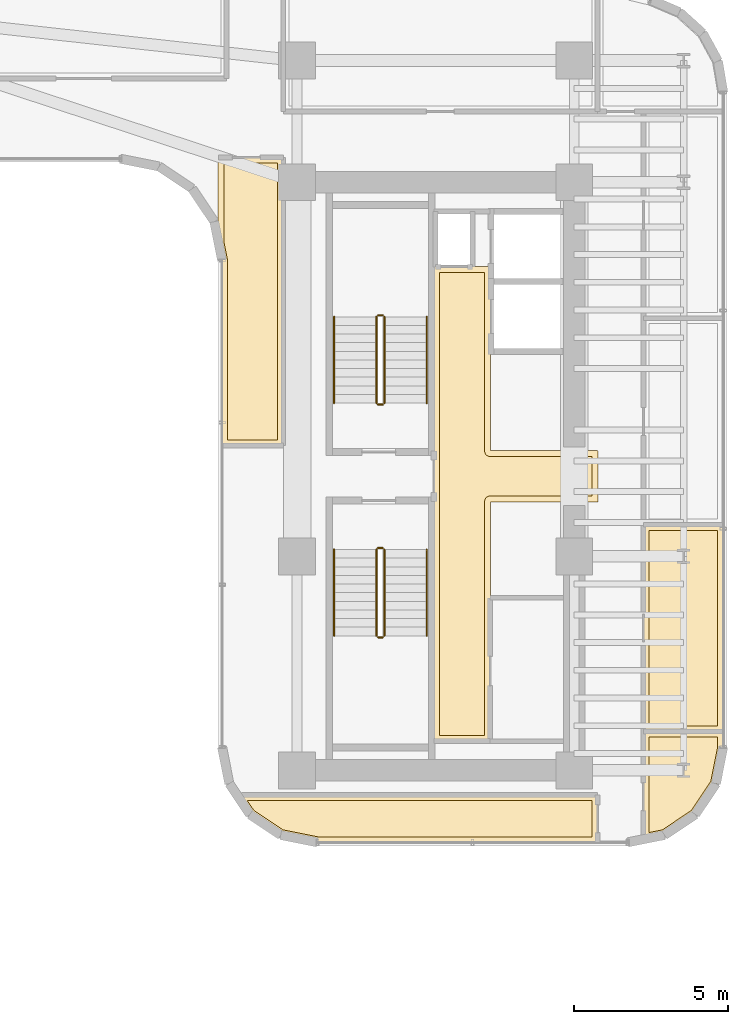
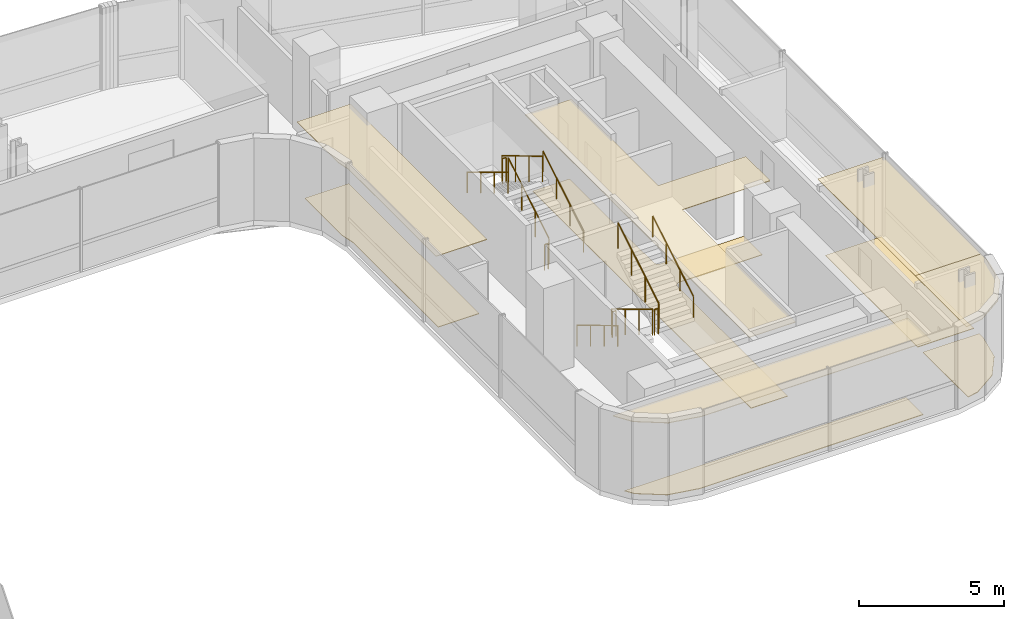
# One storey, part 35 of 37: 12 railings, 10 coverings.
"""IFC4 building model written with IfcOpenShell, lengths in metres."""

from ifc_helpers import new_model, si_unit, direction, frame, origin, origin_2d, place, context, subcontext, project, spatial, polyline, circle, outline, extrude, material, layer, layer_set, type_object, element, save


model = new_model("IFC4")

# Units and contexts
model_context = context("Model", 3, precision=1e-05, world=origin(), true_north=direction((0.0, 1.0)))
body_context = subcontext(model_context, "Body", "Model", "MODEL_VIEW")
ifc_project = project(units=[si_unit("LENGTHUNIT", "METRE"), si_unit("AREAUNIT", "SQUARE_METRE"), si_unit("VOLUMEUNIT", "CUBIC_METRE"), si_unit("PLANEANGLEUNIT", "RADIAN"), si_unit("MASSUNIT", "GRAM", prefix="KILO")], contexts=[model_context])

# Site, building, storey
site_placement = place(None, origin())
site = spatial("IfcSite", under=ifc_project, at=site_placement, CompositionType="ELEMENT")
building_placement = place(site_placement, origin())
building = spatial("IfcBuilding", under=site, at=building_placement, Name="Valdorenza Pilgrim Sanctuary Tower", CompositionType="ELEMENT")
storey_placement = place(building_placement, frame((0.0, 0.0, 135.300048828125)))
storey = spatial("IfcBuildingStorey", under=building, at=storey_placement, Name="L34", CompositionType="ELEMENT", Elevation=135.300048828125)

# Coverings
ifc_material_1 = material(Name="Micro-perforated acoustic mineral ceiling tile", Category="gypsum")
ifc_layer_1 = layer(ifc_material_1, 0.02490234375, Name="Micro-perforated acoustic mineral ceiling tile")
ifc_layer_set_1 = layer_set([ifc_layer_1], Name="Micro-perforated acoustic mineral ceiling tile")
covering_type_1 = type_object("IfcCoveringType", Name="COV-CLG-ACU", PredefinedType="CEILING", material=ifc_layer_set_1)
covering_1_placement = place(storey_placement, frame((0.0, 0.0, 3.159912109375)))
element("IfcCovering", 1, at=covering_1_placement, inside=storey, type_object=covering_type_1, Name="L34 Core B Passenger Lift Lobby Acoustic Ceiling", PredefinedType="CEILING", context=body_context, shape_type="SweptSolid", body=[
    extrude(outline(polyline([(20.287109375, -0.814697265625), (20.287109375, 0.814697265625), (20.28662109375, 0.815185546875), (20.2861328125, 0.81640625), (20.28564453125, 0.81787109375), (20.285400390625, 0.819091796875), (20.28515625, 0.820556640625), (20.284912109375, 0.822021484375), (20.284912109375, 6.800048828125), (20.28515625, 6.801513671875), (20.285400390625, 6.802978515625), (20.28564453125, 6.804443359375), (20.2861328125, 6.8056640625), (20.286865234375, 6.80712890625), (20.28759765625, 6.808349609375), (20.288330078125, 6.8095703125), (20.289306640625, 6.810546875), (20.29052734375, 6.8115234375), (20.291748046875, 6.8125), (20.29296875, 6.813232421875), (20.294189453125, 6.81396484375), (20.295654296875, 6.814453125), (20.297119140625, 6.814697265625), (20.298583984375, 6.81494140625), (20.300048828125, 6.81494140625), (20.347900390625, 6.81494140625), (20.349365234375, 6.81494140625), (20.350830078125, 6.814697265625), (20.352294921875, 6.814453125), (20.353515625, 6.81396484375), (20.35498046875, 6.813232421875), (20.35546875, 6.81298828125), (21.544677734375, 6.81298828125), (21.545166015625, 6.813232421875), (21.54638671875, 6.81396484375), (21.5478515625, 6.814453125), (21.54931640625, 6.814697265625), (21.550537109375, 6.81494140625), (21.552001953125, 6.81494140625), (22.1201171875, 6.81494140625), (22.12158203125, 6.81494140625), (22.122802734375, 6.814697265625), (22.12451171875, 6.814453125), (22.125732421875, 6.81396484375), (22.127197265625, 6.813232421875), (22.12841796875, 6.8125), (22.12939453125, 6.8115234375), (22.130615234375, 6.810546875), (22.131591796875, 6.8095703125), (22.132568359375, 6.808349609375), (22.13330078125, 6.80712890625), (22.1337890625, 6.8056640625), (22.134521484375, 6.804443359375), (22.134765625, 6.802978515625), (22.135009765625, 6.801513671875), (22.135009765625, 6.800048828125), (22.135009765625, 0.8349609375), (25.60009765625, 0.8349609375), (25.6015625, 0.8349609375), (25.602783203125, 0.834716796875), (25.6044921875, 0.83447265625), (25.605712890625, 0.833984375), (25.607177734375, 0.833251953125), (25.6083984375, 0.83251953125), (25.609619140625, 0.83154296875), (25.610595703125, 0.83056640625), (25.611572265625, 0.82958984375), (25.612548828125, 0.828369140625), (25.61328125, 0.8271484375), (25.614013671875, 0.82568359375), (25.614501953125, 0.824462890625), (25.61474609375, 0.822998046875), (25.614990234375, 0.821533203125), (25.614990234375, 0.820068359375), (25.614990234375, -0.820068359375), (25.614990234375, -0.821533203125), (25.61474609375, -0.822998046875), (25.614501953125, -0.824462890625), (25.614013671875, -0.82568359375), (25.61328125, -0.8271484375), (25.612548828125, -0.828369140625), (25.611572265625, -0.82958984375), (25.610595703125, -0.83056640625), (25.609619140625, -0.83154296875), (25.6083984375, -0.83251953125), (25.607177734375, -0.833251953125), (25.605712890625, -0.833984375), (25.6044921875, -0.83447265625), (25.602783203125, -0.834716796875), (25.6015625, -0.8349609375), (25.60009765625, -0.8349609375), (22.135009765625, -0.8349609375), (22.135009765625, -8.60009765625), (22.135009765625, -8.6015625), (22.134765625, -8.602783203125), (22.134521484375, -8.6044921875), (22.1337890625, -8.605712890625), (22.13330078125, -8.607177734375), (22.132568359375, -8.6083984375), (22.131591796875, -8.609619140625), (22.130615234375, -8.610595703125), (22.12939453125, -8.611572265625), (22.12841796875, -8.612548828125), (22.127197265625, -8.61328125), (22.125732421875, -8.614013671875), (22.12451171875, -8.614501953125), (22.122802734375, -8.61474609375), (22.12158203125, -8.614990234375), (22.1201171875, -8.614990234375), (20.300048828125, -8.614990234375), (20.298583984375, -8.614990234375), (20.297119140625, -8.61474609375), (20.295654296875, -8.614501953125), (20.294189453125, -8.614013671875), (20.29296875, -8.61328125), (20.291748046875, -8.612548828125), (20.29052734375, -8.611572265625), (20.289306640625, -8.610595703125), (20.288330078125, -8.609619140625), (20.28759765625, -8.6083984375), (20.286865234375, -8.607177734375), (20.2861328125, -8.605712890625), (20.28564453125, -8.6044921875), (20.285400390625, -8.602783203125), (20.28515625, -8.6015625), (20.284912109375, -8.60009765625), (20.284912109375, -0.822021484375), (20.28515625, -0.820556640625), (20.285400390625, -0.819091796875), (20.28564453125, -0.81787109375), (20.2861328125, -0.81640625), (20.28662109375, -0.815185546875), (20.287109375, -0.814697265625)])), origin(), (0.0, 0.0, 1.0), 0.025146484375),
])
covering_2_placement = place(storey_placement, frame((0.0, 0.0, 3.159912109375)))
element("IfcCovering", 2, at=covering_2_placement, inside=storey, type_object=covering_type_1, Name="L34 Sacred Manuscript Archive L34-BS Acoustic Ceiling", PredefinedType="CEILING", context=body_context, shape_type="SweptSolid", body=[
    extrude(outline(polyline([(25.614990234375, -11.889892578125), (25.614990234375, -11.8916015625), (25.61474609375, -11.892822265625), (25.614501953125, -11.894287109375), (25.614013671875, -11.895751953125), (25.61328125, -11.897216796875), (25.612548828125, -11.898193359375), (25.611572265625, -11.8994140625), (25.610595703125, -11.900634765625), (25.609619140625, -11.901611328125), (25.6083984375, -11.902587890625), (25.607177734375, -11.9033203125), (25.605712890625, -11.90380859375), (25.6044921875, -11.904296875), (25.602783203125, -11.90478515625), (25.6015625, -11.90478515625), (25.60009765625, -11.905029296875), (16.5107421875, -11.905029296875), (16.509521484375, -11.90478515625), (16.5078125, -11.90478515625), (15.3154296875, -11.66748046875), (15.31396484375, -11.6669921875), (15.3125, -11.66650390625), (15.311279296875, -11.666015625), (15.31005859375, -11.665283203125), (14.308349609375, -10.995849609375), (14.30712890625, -10.9951171875), (14.305908203125, -10.993896484375), (14.304931640625, -10.992919921875), (14.30419921875, -10.99169921875), (13.880859375, -10.3583984375), (13.880126953125, -10.357177734375), (13.87939453125, -10.355712890625), (13.87890625, -10.3544921875), (13.878662109375, -10.352783203125), (13.87841796875, -10.3515625), (13.87841796875, -10.35009765625), (13.87841796875, -10.348388671875), (13.878662109375, -10.34716796875), (13.87890625, -10.345703125), (13.87939453125, -10.34423828125), (13.880126953125, -10.343017578125), (13.880859375, -10.341796875), (13.881591796875, -10.340576171875), (13.8828125, -10.33935546875), (13.8837890625, -10.33837890625), (13.885009765625, -10.33740234375), (13.88623046875, -10.3369140625), (13.8876953125, -10.336181640625), (13.888916015625, -10.335693359375), (13.890380859375, -10.335205078125), (13.891845703125, -10.335205078125), (13.893310546875, -10.3349609375), (25.60009765625, -10.3349609375), (25.6015625, -10.335205078125), (25.602783203125, -10.335205078125), (25.6044921875, -10.335693359375), (25.605712890625, -10.336181640625), (25.607177734375, -10.3369140625), (25.6083984375, -10.33740234375), (25.609619140625, -10.33837890625), (25.610595703125, -10.33935546875), (25.611572265625, -10.340576171875), (25.612548828125, -10.341796875), (25.61328125, -10.343017578125), (25.614013671875, -10.34423828125), (25.614501953125, -10.345703125), (25.61474609375, -10.34716796875), (25.614990234375, -10.348388671875), (25.614990234375, -10.35009765625), (25.614990234375, -11.889892578125)])), origin(), (0.0, 0.0, 1.0), 0.025146484375),
])
covering_3_placement = place(storey_placement, frame((0.0, 0.0, 3.159912109375)))
element("IfcCovering", 3, at=covering_3_placement, inside=storey, type_object=covering_type_1, Name="L34 East Sanctuary Scholar Office L34-EG1 Acoustic Ceiling", PredefinedType="CEILING", context=body_context, shape_type="SweptSolid", body=[
    extrude(outline(polyline([(29.467529296875, -9.984619140625), (29.467041015625, -9.986083984375), (29.466552734375, -9.9873046875), (29.466064453125, -9.98876953125), (29.46533203125, -9.989990234375), (28.7958984375, -10.99169921875), (28.794921875, -10.992919921875), (28.7939453125, -10.993896484375), (28.79296875, -10.9951171875), (28.791748046875, -10.995849609375), (27.7900390625, -11.665283203125), (27.788818359375, -11.666015625), (27.787353515625, -11.66650390625), (27.785888671875, -11.6669921875), (27.78466796875, -11.66748046875), (27.102783203125, -11.802978515625), (27.1015625, -11.80322265625), (27.10009765625, -11.803466796875), (27.098388671875, -11.80322265625), (27.09716796875, -11.802978515625), (27.095703125, -11.802734375), (27.09423828125, -11.80224609375), (27.093017578125, -11.801513671875), (27.091796875, -11.80078125), (27.090576171875, -11.800048828125), (27.08935546875, -11.799072265625), (27.08837890625, -11.7978515625), (27.08740234375, -11.796630859375), (27.0869140625, -11.79541015625), (27.086181640625, -11.794189453125), (27.085693359375, -11.792724609375), (27.085205078125, -11.791259765625), (27.085205078125, -11.789794921875), (27.0849609375, -11.788330078125), (27.0849609375, -8.287109375), (27.085205078125, -8.285400390625), (27.085205078125, -8.2841796875), (27.085693359375, -8.28271484375), (27.086181640625, -8.28125), (27.0869140625, -8.27978515625), (27.08740234375, -8.27880859375), (27.08837890625, -8.277587890625), (27.08935546875, -8.2763671875), (27.090576171875, -8.275390625), (27.091796875, -8.2744140625), (27.093017578125, -8.273681640625), (27.09423828125, -8.273193359375), (27.095703125, -8.272705078125), (27.09716796875, -8.272216796875), (27.098388671875, -8.272216796875), (27.10009765625, -8.27197265625), (29.68994140625, -8.27197265625), (29.69140625, -8.272216796875), (29.69287109375, -8.272216796875), (29.6943359375, -8.272705078125), (29.69580078125, -8.273193359375), (29.697021484375, -8.273681640625), (29.6982421875, -8.2744140625), (29.699462890625, -8.275390625), (29.70068359375, -8.2763671875), (29.70166015625, -8.277587890625), (29.702392578125, -8.27880859375), (29.703125, -8.27978515625), (29.703857421875, -8.28125), (29.704345703125, -8.28271484375), (29.70458984375, -8.2841796875), (29.704833984375, -8.285400390625), (29.705078125, -8.287109375), (29.705078125, -8.789306640625), (29.704833984375, -8.79052734375), (29.70458984375, -8.7919921875), (29.467529296875, -9.984619140625)])), origin(), (0.0, 0.0, 1.0), 0.025146484375),
])
covering_4_placement = place(storey_placement, frame((0.0, 0.0, 3.159912109375)))
element("IfcCovering", 4, at=covering_4_placement, inside=storey, type_object=covering_type_1, Name="L34 East Sanctuary Scholar Office L34-EG2 Acoustic Ceiling", PredefinedType="CEILING", context=body_context, shape_type="SweptSolid", body=[
    extrude(outline(polyline([(27.0849609375, -1.574951171875), (27.085205078125, -1.573486328125), (27.085205078125, -1.572021484375), (27.085693359375, -1.570556640625), (27.086181640625, -1.5693359375), (27.0869140625, -1.56787109375), (27.08740234375, -1.566650390625), (27.08837890625, -1.5654296875), (27.08935546875, -1.564453125), (27.090576171875, -1.5634765625), (27.091796875, -1.5625), (27.093017578125, -1.561767578125), (27.09423828125, -1.56103515625), (27.095703125, -1.560546875), (27.09716796875, -1.560302734375), (27.098388671875, -1.56005859375), (27.10009765625, -1.56005859375), (29.68994140625, -1.56005859375), (29.69140625, -1.56005859375), (29.69287109375, -1.560302734375), (29.6943359375, -1.560546875), (29.69580078125, -1.56103515625), (29.697021484375, -1.561767578125), (29.6982421875, -1.5625), (29.699462890625, -1.5634765625), (29.70068359375, -1.564453125), (29.70166015625, -1.5654296875), (29.702392578125, -1.566650390625), (29.703125, -1.56787109375), (29.703857421875, -1.5693359375), (29.704345703125, -1.570556640625), (29.70458984375, -1.572021484375), (29.704833984375, -1.573486328125), (29.705078125, -1.574951171875), (29.705078125, -8.284912109375), (29.704833984375, -8.28662109375), (29.70458984375, -8.287841796875), (29.704345703125, -8.289306640625), (29.703857421875, -8.290771484375), (29.703125, -8.2919921875), (29.702392578125, -8.293212890625), (29.70166015625, -8.29443359375), (29.70068359375, -8.295654296875), (29.699462890625, -8.296630859375), (29.6982421875, -8.297607421875), (29.697021484375, -8.298095703125), (29.69580078125, -8.298828125), (29.6943359375, -8.29931640625), (29.69287109375, -8.2998046875), (29.69140625, -8.2998046875), (29.68994140625, -8.300048828125), (27.10009765625, -8.300048828125), (27.098388671875, -8.2998046875), (27.09716796875, -8.2998046875), (27.095703125, -8.29931640625), (27.09423828125, -8.298828125), (27.093017578125, -8.298095703125), (27.091796875, -8.297607421875), (27.090576171875, -8.296630859375), (27.08935546875, -8.295654296875), (27.08837890625, -8.29443359375), (27.08740234375, -8.293212890625), (27.0869140625, -8.2919921875), (27.086181640625, -8.290771484375), (27.085693359375, -8.289306640625), (27.085205078125, -8.287841796875), (27.085205078125, -8.28662109375), (27.0849609375, -8.284912109375), (27.0849609375, -1.574951171875)])), origin(), (0.0, 0.0, 1.0), 0.025146484375),
])
covering_5_placement = place(storey_placement, frame((0.0, 0.0, 3.159912109375)))
element("IfcCovering", 5, at=covering_5_placement, inside=storey, type_object=covering_type_1, Name="L34 Courtyard Overlook Salon L34 Acoustic Ceiling", PredefinedType="CEILING", context=body_context, shape_type="SweptSolid", body=[
    extrude(outline(polyline([(15.39990234375, 10.364990234375), (15.401611328125, 10.364990234375), (15.40283203125, 10.36474609375), (15.404296875, 10.364501953125), (15.40576171875, 10.364013671875), (15.406982421875, 10.36328125), (15.408203125, 10.362548828125), (15.409423828125, 10.361572265625), (15.41064453125, 10.360595703125), (15.41162109375, 10.359619140625), (15.41259765625, 10.3583984375), (15.4130859375, 10.357177734375), (15.413818359375, 10.355712890625), (15.414306640625, 10.3544921875), (15.414794921875, 10.352783203125), (15.414794921875, 10.3515625), (15.4150390625, 10.35009765625), (15.4150390625, 1.0), (15.414794921875, 0.99853515625), (15.414794921875, 0.9970703125), (15.414306640625, 0.99560546875), (15.413818359375, 0.994384765625), (15.4130859375, 0.992919921875), (15.41259765625, 0.99169921875), (15.41162109375, 0.990478515625), (15.41064453125, 0.989501953125), (15.409423828125, 0.98828125), (15.408203125, 0.987548828125), (15.406982421875, 0.98681640625), (15.40576171875, 0.986083984375), (15.404296875, 0.985595703125), (15.40283203125, 0.9853515625), (15.401611328125, 0.985107421875), (15.39990234375, 0.985107421875), (13.409912109375, 0.985107421875), (13.408447265625, 0.985107421875), (13.406982421875, 0.9853515625), (13.405517578125, 0.985595703125), (13.404296875, 0.986083984375), (13.40283203125, 0.98681640625), (13.401611328125, 0.987548828125), (13.400390625, 0.98828125), (13.3994140625, 0.989501953125), (13.3984375, 0.990478515625), (13.3974609375, 0.99169921875), (13.396728515625, 0.992919921875), (13.39599609375, 0.994384765625), (13.3955078125, 0.99560546875), (13.395263671875, 0.9970703125), (13.39501953125, 0.99853515625), (13.39501953125, 1.0), (13.39501953125, 6.99951171875), (13.39453125, 7.00927734375), (13.39306640625, 7.018798828125), (13.285400390625, 7.560791015625), (13.28515625, 7.562255859375), (13.284912109375, 7.563720703125), (13.284912109375, 10.35009765625), (13.28515625, 10.3515625), (13.285400390625, 10.352783203125), (13.28564453125, 10.3544921875), (13.2861328125, 10.355712890625), (13.286865234375, 10.357177734375), (13.28759765625, 10.3583984375), (13.288330078125, 10.359619140625), (13.289306640625, 10.360595703125), (13.29052734375, 10.361572265625), (13.291748046875, 10.362548828125), (13.29296875, 10.36328125), (13.294189453125, 10.364013671875), (13.295654296875, 10.364501953125), (13.297119140625, 10.36474609375), (13.298583984375, 10.364990234375), (13.300048828125, 10.364990234375), (15.39990234375, 10.364990234375)])), origin(), (0.0, 0.0, 1.0), 0.025146484375),
])
ifc_material_2 = material(Name="Honed travertine stone flooring", Category="masonry")
ifc_layer_2 = layer(ifc_material_2, 0.030029296875, Name="Honed travertine stone flooring")
ifc_layer_set_2 = layer_set([ifc_layer_2], Name="Honed travertine stone flooring")
covering_type_2 = type_object("IfcCoveringType", Name="COV-FLR-TRV", PredefinedType="FLOORING", material=ifc_layer_set_2)
covering_6_placement = place(storey_placement, origin())
element("IfcCovering", 6, at=covering_6_placement, inside=storey, type_object=covering_type_2, Name="L34 Core B Passenger Lift Lobby Flooring", PredefinedType="FLOORING", context=body_context, shape_type="SweptSolid", body=[
    extrude(outline(polyline([(20.47998046875, 6.617919921875), (21.550048828125, 6.617919921875), (21.550537109375, 6.617919921875), (21.93994140625, 6.619384765625), (21.93994140625, 0.820068359375), (21.94091796875, 0.802490234375), (21.943603515625, 0.784912109375), (21.94775390625, 0.767578125), (21.95361328125, 0.751220703125), (21.961181640625, 0.735107421875), (21.97021484375, 0.719970703125), (21.98095703125, 0.705810546875), (21.99267578125, 0.692626953125), (22.005859375, 0.680908203125), (22.02001953125, 0.67041015625), (22.03515625, 0.661376953125), (22.051025390625, 0.65380859375), (22.067626953125, 0.647705078125), (22.0849609375, 0.6435546875), (22.102294921875, 0.640869140625), (22.1201171875, 0.639892578125), (25.419921875, 0.639892578125), (25.419921875, -0.639892578125), (22.1201171875, -0.639892578125), (22.102294921875, -0.640869140625), (22.0849609375, -0.6435546875), (22.067626953125, -0.647705078125), (22.051025390625, -0.65380859375), (22.03515625, -0.661376953125), (22.02001953125, -0.67041015625), (22.005859375, -0.680908203125), (21.99267578125, -0.692626953125), (21.98095703125, -0.705810546875), (21.97021484375, -0.719970703125), (21.961181640625, -0.735107421875), (21.95361328125, -0.751220703125), (21.94775390625, -0.767578125), (21.943603515625, -0.784912109375), (21.94091796875, -0.802490234375), (21.93994140625, -0.820068359375), (21.93994140625, -8.419921875), (20.47998046875, -8.419921875), (20.47998046875, -0.846923828125), (20.47998046875, -0.8466796875), (20.47998046875, -0.8466796875), (20.481689453125, -0.8291015625), (20.481689453125, -0.828857421875), (20.48193359375, -0.820068359375), (20.48193359375, 0.820068359375), (20.47998046875, 6.617919921875)])), origin(), (0.0, 0.0, 1.0), 0.02490234375),
])
covering_7_placement = place(storey_placement, origin())
element("IfcCovering", 7, at=covering_7_placement, inside=storey, type_object=covering_type_2, Name="L34 Sacred Manuscript Archive L34-BS Flooring", PredefinedType="FLOORING", context=body_context, shape_type="SweptSolid", body=[
    extrude(outline(polyline([(25.419921875, -11.7099609375), (16.528564453125, -11.7099609375), (15.388671875, -11.483154296875), (14.4462890625, -10.853515625), (14.22998046875, -10.530029296875), (25.419921875, -10.530029296875), (25.419921875, -11.7099609375)])), origin(), (0.0, 0.0, 1.0), 0.02490234375),
])
covering_8_placement = place(storey_placement, origin())
element("IfcCovering", 8, at=covering_8_placement, inside=storey, type_object=covering_type_2, Name="L34 East Sanctuary Scholar Office L34-EG1 Flooring", PredefinedType="FLOORING", context=body_context, shape_type="SweptSolid", body=[
    extrude(outline(polyline([(29.283203125, -9.911376953125), (28.653564453125, -10.853515625), (27.71142578125, -11.483154296875), (27.280029296875, -11.569091796875), (27.280029296875, -8.467041015625), (29.510009765625, -8.467041015625), (29.510009765625, -8.771484375), (29.283203125, -9.911376953125)])), origin(), (0.0, 0.0, 1.0), 0.02490234375),
])
covering_9_placement = place(storey_placement, origin())
element("IfcCovering", 9, at=covering_9_placement, inside=storey, type_object=covering_type_2, Name="L34 East Sanctuary Scholar Office L34-EG2 Flooring", PredefinedType="FLOORING", context=body_context, shape_type="SweptSolid", body=[
    extrude(outline(polyline([(27.280029296875, -1.7548828125), (29.510009765625, -1.7548828125), (29.510009765625, -8.10498046875), (27.280029296875, -8.10498046875), (27.280029296875, -1.7548828125)])), origin(), (0.0, 0.0, 1.0), 0.02490234375),
])
covering_10_placement = place(storey_placement, origin())
element("IfcCovering", 10, at=covering_10_placement, inside=storey, type_object=covering_type_2, Name="L34 Courtyard Overlook Salon L34 Flooring", PredefinedType="FLOORING", context=body_context, shape_type="SweptSolid", body=[
    extrude(outline(polyline([(15.219970703125, 10.169921875), (15.219970703125, 1.179931640625), (13.590087890625, 1.179931640625), (13.590087890625, 7.0), (13.58984375, 7.0087890625), (13.58935546875, 7.01953125), (13.58740234375, 7.037109375), (13.5859375, 7.0478515625), (13.58447265625, 7.056640625), (13.47998046875, 7.58154296875), (13.47998046875, 10.169921875), (15.219970703125, 10.169921875)])), origin(), (0.0, 0.0, 1.0), 0.02490234375),
])

# Railings
ifc_material_3 = material(Name="Stainless steel Grade 316", Category="steel")
railing_type_1 = type_object("IfcRailingType", Name="RLG-GRD-1120", PredefinedType="GUARDRAIL", material=ifc_material_3)
railing_1_placement = place(storey_placement, frame((18.679931640625, 2.3798828125, 0.168212890625)))
element("IfcRailing", 11, at=railing_1_placement, inside=storey, type_object=railing_type_1, Name="L34 ST-B1 stair guard 1", PredefinedType="GUARDRAIL", context=body_context, shape_type="SweptSolid", body=[
    extrude(circle(Radius=0.02392578125, at=origin_2d()), frame((0.0, 0.0, 1.076171875), z_axis=(0.0, 0.857275202839, 0.514858452973), x_axis=(-1.0, 0.0, 0.0)), (0.0, 0.0, 1.0), 3.26611328125),
    extrude(circle(Radius=0.02099609375, at=origin_2d()), origin(), (0.0, 0.0, 1.0), 1.052001953125),
    extrude(circle(Radius=0.02099609375, at=origin_2d()), frame((0.0, 0.933349609375, 0.560546875)), (0.0, 0.0, 1.0), 1.052001953125),
    extrude(circle(Radius=0.02099609375, at=origin_2d()), frame((0.0, 1.86669921875, 1.12109375)), (0.0, 0.0, 1.0), 1.052001953125),
    extrude(circle(Radius=0.02099609375, at=origin_2d()), frame((0.0, 2.800048828125, 1.681640625)), (0.0, 0.0, 1.0), 1.052001953125),
])
railing_2_placement = place(storey_placement, frame((18.6298828125, 5.22998046875, 1.849853515625)))
element("IfcRailing", 12, at=railing_2_placement, inside=storey, type_object=railing_type_1, Name="L34 ST-B1 stair guard 2", PredefinedType="GUARDRAIL", context=body_context, shape_type="SweptSolid", body=[
    extrude(circle(Radius=0.02392578125, at=origin_2d()), frame((0.0, 0.0, 1.076171875), z_axis=(-1.0, 0.0, 0.0), x_axis=(0.0, -1.0, 0.0)), (0.0, 0.0, 1.0), 0.14990234375),
    extrude(circle(Radius=0.02099609375, at=origin_2d()), origin(), (0.0, 0.0, 1.0), 1.052001953125),
    extrude(circle(Radius=0.02099609375, at=origin_2d()), frame((-0.14990234375, 0.0, 0.0)), (0.0, 0.0, 1.0), 1.052001953125),
])
railing_3_placement = place(storey_placement, frame((18.429931640625, 5.179931640625, 2.01806640625)))
element("IfcRailing", 13, at=railing_3_placement, inside=storey, type_object=railing_type_1, Name="L34 ST-B1 stair guard 3", PredefinedType="GUARDRAIL", context=body_context, shape_type="SweptSolid", body=[
    extrude(circle(Radius=0.02392578125, at=origin_2d()), frame((0.0, 0.0, 1.076171875), z_axis=(0.0, -0.857242210791, 0.514913383045), x_axis=(1.0, 0.0, 0.0)), (0.0, 0.0, 1.0), 3.266357421875),
    extrude(circle(Radius=0.02099609375, at=origin_2d()), origin(), (0.0, 0.0, 1.0), 1.052001953125),
    extrude(circle(Radius=0.02099609375, at=origin_2d()), frame((0.0, -0.933349609375, 0.560546875)), (0.0, 0.0, 1.0), 1.052001953125),
    extrude(circle(Radius=0.02099609375, at=origin_2d()), frame((0.0, -1.86669921875, 1.121337890625)), (0.0, 0.0, 1.0), 1.052001953125),
    extrude(circle(Radius=0.02099609375, at=origin_2d()), frame((0.0, -2.800048828125, 1.681884765625)), (0.0, 0.0, 1.0), 1.052001953125),
])
railing_4_placement = place(storey_placement, frame((18.6298828125, 2.330078125, 0.0)))
element("IfcRailing", 14, at=railing_4_placement, inside=storey, type_object=railing_type_1, Name="L34 ST-B1 stair guard 4", PredefinedType="GUARDRAIL", context=body_context, shape_type="SweptSolid", body=[
    extrude(circle(Radius=0.02392578125, at=origin_2d()), frame((0.0, 0.0, 1.076171875), z_axis=(-1.0, 0.0, 0.0), x_axis=(0.0, -1.0, 0.0)), (0.0, 0.0, 1.0), 0.14990234375),
    extrude(circle(Radius=0.02099609375, at=origin_2d()), origin(), (0.0, 0.0, 1.0), 1.052001953125),
    extrude(circle(Radius=0.02099609375, at=origin_2d()), frame((-0.14990234375, 0.0, 0.0)), (0.0, 0.0, 1.0), 1.052001953125),
])
railing_5_placement = place(storey_placement, frame((18.429931640625, -2.3798828125, 0.168212890625)))
element("IfcRailing", 15, at=railing_5_placement, inside=storey, type_object=railing_type_1, Name="L34 ST-B2 stair guard 1", PredefinedType="GUARDRAIL", context=body_context, shape_type="SweptSolid", body=[
    extrude(circle(Radius=0.02392578125, at=origin_2d()), frame((0.0, 0.0, 1.076171875), z_axis=(0.0, -0.857275202839, 0.514858452973), x_axis=(1.0, 0.0, 0.0)), (0.0, 0.0, 1.0), 3.26611328125),
    extrude(circle(Radius=0.02099609375, at=origin_2d()), origin(), (0.0, 0.0, 1.0), 1.052001953125),
    extrude(circle(Radius=0.02099609375, at=origin_2d()), frame((0.0, -0.933349609375, 0.560546875)), (0.0, 0.0, 1.0), 1.052001953125),
    extrude(circle(Radius=0.02099609375, at=origin_2d()), frame((0.0, -1.86669921875, 1.12109375)), (0.0, 0.0, 1.0), 1.052001953125),
    extrude(circle(Radius=0.02099609375, at=origin_2d()), frame((0.0, -2.800048828125, 1.681640625)), (0.0, 0.0, 1.0), 1.052001953125),
])
railing_6_placement = place(storey_placement, frame((18.47998046875, -5.22998046875, 1.849853515625)))
element("IfcRailing", 16, at=railing_6_placement, inside=storey, type_object=railing_type_1, Name="L34 ST-B2 stair guard 2", PredefinedType="GUARDRAIL", context=body_context, shape_type="SweptSolid", body=[
    extrude(circle(Radius=0.02392578125, at=origin_2d()), frame((0.0, 0.0, 1.076171875), z_axis=(1.0, 0.0, 0.0), x_axis=(0.0, 1.0, 0.0)), (0.0, 0.0, 1.0), 0.14990234375),
    extrude(circle(Radius=0.02099609375, at=origin_2d()), origin(), (0.0, 0.0, 1.0), 1.052001953125),
    extrude(circle(Radius=0.02099609375, at=origin_2d()), frame((0.14990234375, 0.0, 0.0)), (0.0, 0.0, 1.0), 1.052001953125),
])
railing_7_placement = place(storey_placement, frame((18.679931640625, -5.179931640625, 2.01806640625)))
element("IfcRailing", 17, at=railing_7_placement, inside=storey, type_object=railing_type_1, Name="L34 ST-B2 stair guard 3", PredefinedType="GUARDRAIL", context=body_context, shape_type="SweptSolid", body=[
    extrude(circle(Radius=0.02392578125, at=origin_2d()), frame((0.0, 0.0, 1.076171875), z_axis=(0.0, 0.857242210791, 0.514913383045), x_axis=(-1.0, 0.0, 0.0)), (0.0, 0.0, 1.0), 3.266357421875),
    extrude(circle(Radius=0.02099609375, at=origin_2d()), origin(), (0.0, 0.0, 1.0), 1.052001953125),
    extrude(circle(Radius=0.02099609375, at=origin_2d()), frame((0.0, 0.933349609375, 0.560546875)), (0.0, 0.0, 1.0), 1.052001953125),
    extrude(circle(Radius=0.02099609375, at=origin_2d()), frame((0.0, 1.86669921875, 1.121337890625)), (0.0, 0.0, 1.0), 1.052001953125),
    extrude(circle(Radius=0.02099609375, at=origin_2d()), frame((0.0, 2.800048828125, 1.681884765625)), (0.0, 0.0, 1.0), 1.052001953125),
])
railing_8_placement = place(storey_placement, frame((18.47998046875, -2.330078125, 0.0)))
element("IfcRailing", 18, at=railing_8_placement, inside=storey, type_object=railing_type_1, Name="L34 ST-B2 stair guard 4", PredefinedType="GUARDRAIL", context=body_context, shape_type="SweptSolid", body=[
    extrude(circle(Radius=0.02392578125, at=origin_2d()), frame((0.0, 0.0, 1.076171875), z_axis=(1.0, 0.0, 0.0), x_axis=(0.0, 1.0, 0.0)), (0.0, 0.0, 1.0), 0.14990234375),
    extrude(circle(Radius=0.02099609375, at=origin_2d()), origin(), (0.0, 0.0, 1.0), 1.052001953125),
    extrude(circle(Radius=0.02099609375, at=origin_2d()), frame((0.14990234375, 0.0, 0.0)), (0.0, 0.0, 1.0), 1.052001953125),
])
ifc_material_4 = material(Name="Brushed stainless steel Grade 316", Category="steel")
railing_type_2 = type_object("IfcRailingType", Name="RLG-HND-920", PredefinedType="HANDRAIL", material=ifc_material_4)
railing_9_placement = place(storey_placement, frame((20.06005859375, 2.3798828125, 0.168212890625)))
element("IfcRailing", 19, at=railing_9_placement, inside=storey, type_object=railing_type_2, Name="L34 ST-B1 stair handrail 1", PredefinedType="HANDRAIL", context=body_context, shape_type="SweptSolid", body=[
    extrude(circle(Radius=0.02392578125, at=origin_2d()), frame((0.0, 0.0, 0.8759765625), z_axis=(0.0, 0.857275202839, 0.514858452973), x_axis=(-1.0, 0.0, 0.0)), (0.0, 0.0, 1.0), 3.26611328125),
    extrude(circle(Radius=0.02099609375, at=origin_2d()), origin(), (0.0, 0.0, 1.0), 0.851806640625),
    extrude(circle(Radius=0.02099609375, at=origin_2d()), frame((0.0, 0.933349609375, 0.560546875)), (0.0, 0.0, 1.0), 0.851806640625),
    extrude(circle(Radius=0.02099609375, at=origin_2d()), frame((0.0, 1.86669921875, 1.12109375)), (0.0, 0.0, 1.0), 0.851806640625),
    extrude(circle(Radius=0.02099609375, at=origin_2d()), frame((0.0, 2.800048828125, 1.681640625)), (0.0, 0.0, 1.0), 0.851806640625),
])
railing_10_placement = place(storey_placement, frame((17.050048828125, 5.179931640625, 2.01806640625)))
element("IfcRailing", 20, at=railing_10_placement, inside=storey, type_object=railing_type_2, Name="L34 ST-B1 stair handrail 2", PredefinedType="HANDRAIL", context=body_context, shape_type="SweptSolid", body=[
    extrude(circle(Radius=0.02392578125, at=origin_2d()), frame((0.0, 0.0, 0.8759765625), z_axis=(0.0, -0.857242210791, 0.514913383045), x_axis=(1.0, 0.0, 0.0)), (0.0, 0.0, 1.0), 3.266357421875),
    extrude(circle(Radius=0.02099609375, at=origin_2d()), origin(), (0.0, 0.0, 1.0), 0.851806640625),
    extrude(circle(Radius=0.02099609375, at=origin_2d()), frame((0.0, -0.933349609375, 0.560546875)), (0.0, 0.0, 1.0), 0.851806640625),
    extrude(circle(Radius=0.02099609375, at=origin_2d()), frame((0.0, -1.86669921875, 1.121337890625)), (0.0, 0.0, 1.0), 0.851806640625),
    extrude(circle(Radius=0.02099609375, at=origin_2d()), frame((0.0, -2.800048828125, 1.681884765625)), (0.0, 0.0, 1.0), 0.851806640625),
])
railing_11_placement = place(storey_placement, frame((17.050048828125, -2.3798828125, 0.168212890625)))
element("IfcRailing", 21, at=railing_11_placement, inside=storey, type_object=railing_type_2, Name="L34 ST-B2 stair handrail 1", PredefinedType="HANDRAIL", context=body_context, shape_type="SweptSolid", body=[
    extrude(circle(Radius=0.02392578125, at=origin_2d()), frame((0.0, 0.0, 0.8759765625), z_axis=(0.0, -0.857275202839, 0.514858452973), x_axis=(1.0, 0.0, 0.0)), (0.0, 0.0, 1.0), 3.26611328125),
    extrude(circle(Radius=0.02099609375, at=origin_2d()), origin(), (0.0, 0.0, 1.0), 0.851806640625),
    extrude(circle(Radius=0.02099609375, at=origin_2d()), frame((0.0, -0.933349609375, 0.560546875)), (0.0, 0.0, 1.0), 0.851806640625),
    extrude(circle(Radius=0.02099609375, at=origin_2d()), frame((0.0, -1.86669921875, 1.12109375)), (0.0, 0.0, 1.0), 0.851806640625),
    extrude(circle(Radius=0.02099609375, at=origin_2d()), frame((0.0, -2.800048828125, 1.681640625)), (0.0, 0.0, 1.0), 0.851806640625),
])
railing_12_placement = place(storey_placement, frame((20.06005859375, -5.179931640625, 2.01806640625)))
element("IfcRailing", 22, at=railing_12_placement, inside=storey, type_object=railing_type_2, Name="L34 ST-B2 stair handrail 2", PredefinedType="HANDRAIL", context=body_context, shape_type="SweptSolid", body=[
    extrude(circle(Radius=0.02392578125, at=origin_2d()), frame((0.0, 0.0, 0.8759765625), z_axis=(0.0, 0.857242210791, 0.514913383045), x_axis=(-1.0, 0.0, 0.0)), (0.0, 0.0, 1.0), 3.266357421875),
    extrude(circle(Radius=0.02099609375, at=origin_2d()), origin(), (0.0, 0.0, 1.0), 0.851806640625),
    extrude(circle(Radius=0.02099609375, at=origin_2d()), frame((0.0, 0.933349609375, 0.560546875)), (0.0, 0.0, 1.0), 0.851806640625),
    extrude(circle(Radius=0.02099609375, at=origin_2d()), frame((0.0, 1.86669921875, 1.121337890625)), (0.0, 0.0, 1.0), 0.851806640625),
    extrude(circle(Radius=0.02099609375, at=origin_2d()), frame((0.0, 2.800048828125, 1.681884765625)), (0.0, 0.0, 1.0), 0.851806640625),
])

save(model, "model.ifc")
